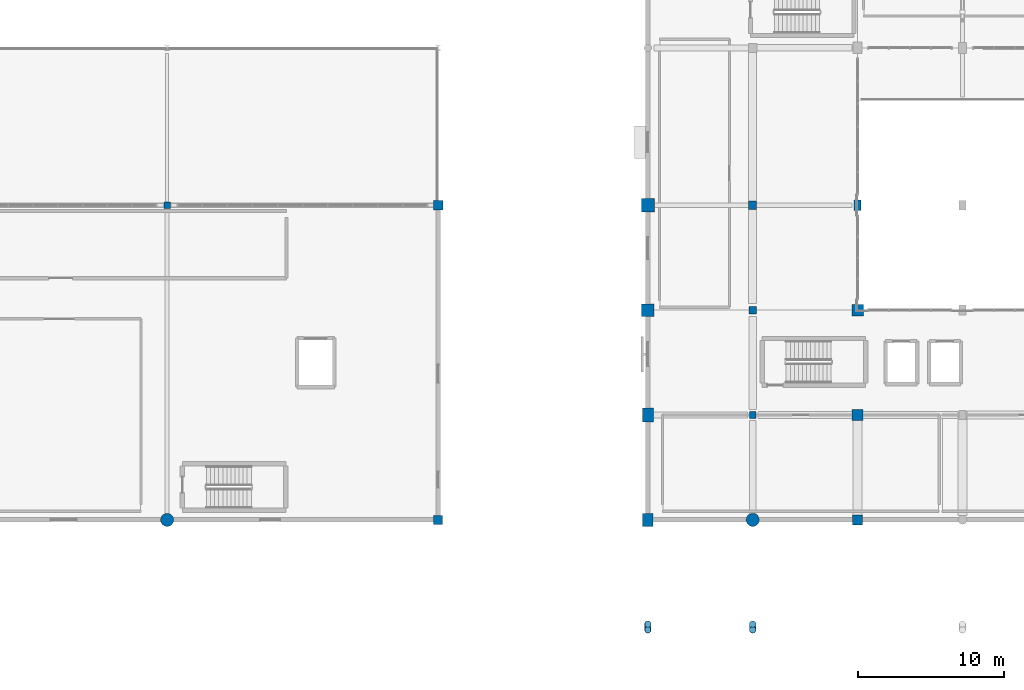
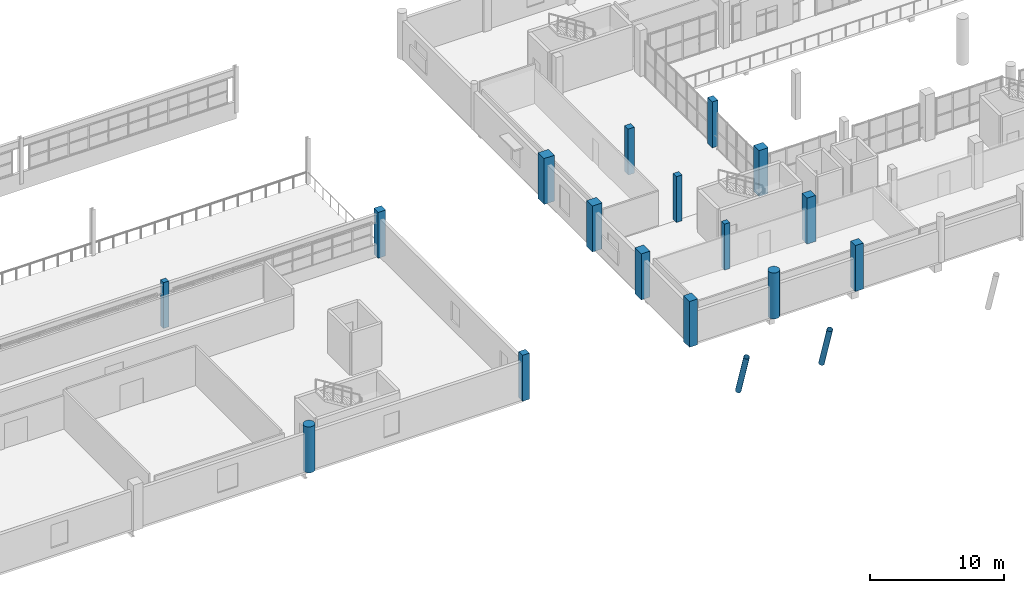
# One storey, part 4 of 92: 18 columns.
"""IFC4 building model written with IfcOpenShell, lengths in metres."""

from ifc_helpers import new_model, si_unit, direction, frame, origin, origin_2d, place, context, subcontext, project, spatial, rectangle, circle, hollow_circle, extrude, material, material_profile, profile_set, type_object, element, save


model = new_model("IFC4")

# Units and contexts
model_context = context("Model", 3, precision=1e-05, world=origin(), true_north=direction((0.0, 1.0)))
body_context = subcontext(model_context, "Body", "Model", "MODEL_VIEW")
ifc_project = project(units=[si_unit("LENGTHUNIT", "METRE"), si_unit("AREAUNIT", "SQUARE_METRE"), si_unit("VOLUMEUNIT", "CUBIC_METRE"), si_unit("PLANEANGLEUNIT", "RADIAN"), si_unit("MASSUNIT", "GRAM", prefix="KILO")], contexts=[model_context])

# Site, building, storey
site_placement = place(None, origin())
site = spatial("IfcSite", under=ifc_project, at=site_placement, CompositionType="ELEMENT")
building_placement = place(site_placement, origin())
building = spatial("IfcBuilding", under=site, at=building_placement, Name="Solanera Park Tramway Depot", CompositionType="ELEMENT")
storey_placement = place(building_placement, frame((0.0, 0.0, 4.800048828125)))
storey = spatial("IfcBuildingStorey", under=building, at=storey_placement, Name="L01", CompositionType="ELEMENT", Elevation=4.800048828125)

# Columns
ifc_material_1 = material(Name="Concrete N40 (C40/50)", Category="concrete")
ifc_material_profile_1 = material_profile(ifc_material_1, rectangle(XDim=0.60009765625, YDim=0.60009765625, at=origin_2d()), Name="RC 600x600")
ifc_profile_set_1 = profile_set([ifc_material_profile_1], Name="Concrete N40 (C40/50)")
column_type_1 = type_object("IfcColumnType", Name="RC Column Ext RC 600x600", PredefinedType="COLUMN", material=ifc_profile_set_1)
column_1_placement = place(storey_placement, frame((93.60009765625, 10.800048828125, 0.0), z_axis=(0.0, 0.0, 1.0), x_axis=(1.0, 0.0, 0.0)))
element("IfcColumn", 1, at=column_1_placement, inside=storey, type_object=column_type_1, Name="L01 Column V2-X936-Y108", PredefinedType="COLUMN", context=body_context, shape_type="SweptSolid", body=[
    extrude(rectangle(XDim=0.60009765625, YDim=0.60009765625, at=origin_2d()), origin(), (0.0, 0.0, 1.0), 4.199951171875),
])
ifc_material_2 = material(Name="Concrete N40 (C40/50)", Category="concrete")
ifc_material_profile_2 = material_profile(ifc_material_2, rectangle(XDim=0.64990234375, YDim=0.64990234375, at=origin_2d()), Name="RC 650x650")
ifc_profile_set_2 = profile_set([ifc_material_profile_2], Name="Concrete N40 (C40/50)")
column_type_2 = type_object("IfcColumnType", Name="RC Column Ext RC 650x650", PredefinedType="COLUMN", material=ifc_profile_set_2)
column_2_placement = place(storey_placement, frame((93.60009765625, 32.39990234375, 0.0), z_axis=(0.0, 0.0, 1.0), x_axis=(1.0, 0.0, 0.0)))
element("IfcColumn", 2, at=column_2_placement, inside=storey, type_object=column_type_2, Name="L01 Column V2-X936-Y324", PredefinedType="COLUMN", context=body_context, shape_type="SweptSolid", body=[
    extrude(rectangle(XDim=0.64990234375, YDim=0.64990234375, at=origin_2d()), origin(), (0.0, 0.0, 1.0), 4.199951171875),
])
ifc_material_3 = material(Name="Concrete N40 (C40/50)", Category="concrete")
ifc_material_profile_3 = material_profile(ifc_material_3, rectangle(XDim=0.699951171875, YDim=0.699951171875, at=origin_2d()), Name="RC 700x700")
ifc_profile_set_3 = profile_set([ifc_material_profile_3], Name="Concrete N40 (C40/50)")
column_type_3 = type_object("IfcColumnType", Name="RC Column Ext RC 700x700", PredefinedType="COLUMN", material=ifc_profile_set_3)
column_3_placement = place(storey_placement, frame((122.39990234375, 10.800048828125, 0.0), z_axis=(0.0, 0.0, 1.0), x_axis=(1.0, 0.0, 0.0)))
element("IfcColumn", 3, at=column_3_placement, inside=storey, type_object=column_type_3, Name="L01 Column V4-X1224-Y108", PredefinedType="COLUMN", context=body_context, shape_type="SweptSolid", body=[
    extrude(rectangle(XDim=0.699951171875, YDim=0.699951171875, at=origin_2d()), origin(), (0.0, 0.0, 1.0), 4.199951171875),
])
ifc_material_4 = material(Name="Concrete N40 (C40/50)", Category="concrete")
ifc_material_profile_4 = material_profile(ifc_material_4, rectangle(XDim=0.699951171875, YDim=0.89990234375, at=origin_2d()), Name="RC 700x900")
ifc_profile_set_4 = profile_set([ifc_material_profile_4], Name="Concrete N40 (C40/50)")
column_type_4 = type_object("IfcColumnType", Name="RC Column Ext RC 700x900", PredefinedType="COLUMN", material=ifc_profile_set_4)
column_4_placement = place(storey_placement, frame((108.0, 10.800048828125, 0.0), z_axis=(0.0, 0.0, 1.0), x_axis=(1.0, 0.0, 0.0)))
element("IfcColumn", 4, at=column_4_placement, inside=storey, type_object=column_type_4, Name="L01 Column V4-X1080-Y108", PredefinedType="COLUMN", context=body_context, shape_type="SweptSolid", body=[
    extrude(rectangle(XDim=0.699951171875, YDim=0.89990234375, at=origin_2d()), origin(), (0.0, 0.0, 1.0), 4.199951171875),
])
ifc_material_5 = material(Name="Concrete N40 (C40/50)", Category="concrete")
ifc_material_profile_5 = material_profile(ifc_material_5, rectangle(XDim=0.75, YDim=0.949951171875, at=origin_2d()), Name="RC 750x950")
ifc_profile_set_5 = profile_set([ifc_material_profile_5], Name="Concrete N40 (C40/50)")
column_type_5 = type_object("IfcColumnType", Name="RC Column Ext RC 750x950", PredefinedType="COLUMN", material=ifc_profile_set_5)
column_5_placement = place(storey_placement, frame((108.0, 18.0, 0.0), z_axis=(0.0, 0.0, 1.0), x_axis=(1.0, 0.0, 0.0)))
element("IfcColumn", 5, at=column_5_placement, inside=storey, type_object=column_type_5, Name="L01 Column V4-X1080-Y180", PredefinedType="COLUMN", context=body_context, shape_type="SweptSolid", body=[
    extrude(rectangle(XDim=0.75, YDim=0.949951171875, at=origin_2d()), origin(), (0.0, 0.0, 1.0), 4.199951171875),
])
ifc_material_6 = material(Name="Concrete N40 (C40/50)", Category="concrete")
ifc_material_profile_6 = material_profile(ifc_material_6, rectangle(XDim=0.85009765625, YDim=0.85009765625, at=origin_2d()), Name="RC 850x850")
ifc_profile_set_6 = profile_set([ifc_material_profile_6], Name="Concrete N40 (C40/50)")
column_type_6 = type_object("IfcColumnType", Name="RC Column Ext RC 850x850", PredefinedType="COLUMN", material=ifc_profile_set_6)
column_6_placement = place(storey_placement, frame((108.0, 25.199951171875, 0.0), z_axis=(0.0, 0.0, 1.0), x_axis=(1.0, 0.0, 0.0)))
element("IfcColumn", 6, at=column_6_placement, inside=storey, type_object=column_type_6, Name="L01 Column V4-X1080-Y252", PredefinedType="COLUMN", context=body_context, shape_type="SweptSolid", body=[
    extrude(rectangle(XDim=0.85009765625, YDim=0.85009765625, at=origin_2d()), origin(), (0.0, 0.0, 1.0), 4.199951171875),
])
ifc_material_7 = material(Name="Concrete N40 (C40/50)", Category="concrete")
ifc_material_profile_7 = material_profile(ifc_material_7, rectangle(XDim=0.89990234375, YDim=0.89990234375, at=origin_2d()), Name="RC 900x900")
ifc_profile_set_7 = profile_set([ifc_material_profile_7], Name="Concrete N40 (C40/50)")
column_type_7 = type_object("IfcColumnType", Name="RC Column Ext RC 900x900", PredefinedType="COLUMN", material=ifc_profile_set_7)
column_7_placement = place(storey_placement, frame((108.0, 32.39990234375, 0.0), z_axis=(0.0, 0.0, 1.0), x_axis=(1.0, 0.0, 0.0)))
element("IfcColumn", 7, at=column_7_placement, inside=storey, type_object=column_type_7, Name="L01 Column V4-X1080-Y324", PredefinedType="COLUMN", context=body_context, shape_type="SweptSolid", body=[
    extrude(rectangle(XDim=0.89990234375, YDim=0.89990234375, at=origin_2d()), origin(), (0.0, 0.0, 1.0), 4.199951171875),
])
ifc_material_8 = material(Name="Concrete N40 (C40/50)", Category="concrete")
ifc_material_profile_8 = material_profile(ifc_material_8, circle(Radius=0.449951171875, at=origin_2d()), Name="RC D900")
ifc_profile_set_8 = profile_set([ifc_material_profile_8], Name="Concrete N40 (C40/50)")
column_type_8 = type_object("IfcColumnType", Name="RC Column Ext RC D900", PredefinedType="COLUMN", material=ifc_profile_set_8)
for number, where, z_axis, x_axis, name in (
    (8, (75.0, 10.800048828125, 0.0), (0.0, 0.0, 1.0), (1.0, 0.0, 0.0), "L01 Column V2-X750-Y108"),
    (9, (115.199951171875, 10.800048828125, 0.0), (0.0, 0.0, 1.0), (1.0, 0.0, 0.0), "L01 Column V4-X1152-Y108"),
):
    element("IfcColumn", number, at=place(storey_placement, frame(where, z_axis=z_axis, x_axis=x_axis)), inside=storey, type_object=column_type_8, Name=name, PredefinedType="COLUMN", context=body_context, shape_type="SweptSolid", body=[
        extrude(circle(Radius=0.449951171875, at=origin_2d()), origin(), (0.0, 0.0, 1.0), 4.199951171875),
    ])
ifc_material_9 = material(Name="Concrete N40 (C40/50)", Category="concrete")
ifc_material_profile_9 = material_profile(ifc_material_9, rectangle(XDim=0.449951171875, YDim=0.449951171875, at=origin_2d()), Name="RC 450x450")
ifc_profile_set_9 = profile_set([ifc_material_profile_9], Name="Concrete N40 (C40/50)")
column_type_9 = type_object("IfcColumnType", Name="RC Column Int RC 450x450", PredefinedType="COLUMN", material=ifc_profile_set_9)
for number, where, z_axis, x_axis, name in (
    (10, (75.0, 32.39990234375, 0.0), (0.0, 0.0, 1.0), (1.0, 0.0, 0.0), "L01 Column V2-X750-Y324"),
    (11, (115.199951171875, 18.0, 0.0), (0.0, 0.0, 1.0), (1.0, 0.0, 0.0), "L01 Column V4-X1152-Y180"),
):
    element("IfcColumn", number, at=place(storey_placement, frame(where, z_axis=z_axis, x_axis=x_axis)), inside=storey, type_object=column_type_9, Name=name, PredefinedType="COLUMN", context=body_context, shape_type="SweptSolid", body=[
        extrude(rectangle(XDim=0.449951171875, YDim=0.449951171875, at=origin_2d()), origin(), (0.0, 0.0, 1.0), 4.199951171875),
    ])
ifc_material_10 = material(Name="Concrete N40 (C40/50)", Category="concrete")
ifc_material_profile_10 = material_profile(ifc_material_10, rectangle(XDim=0.5, YDim=0.5, at=origin_2d()), Name="RC 500x500")
ifc_profile_set_10 = profile_set([ifc_material_profile_10], Name="Concrete N40 (C40/50)")
column_type_10 = type_object("IfcColumnType", Name="RC Column Int RC 500x500", PredefinedType="COLUMN", material=ifc_profile_set_10)
column_8_placement = place(storey_placement, frame((115.199951171875, 25.199951171875, 0.0), z_axis=(0.0, 0.0, 1.0), x_axis=(1.0, 0.0, 0.0)))
element("IfcColumn", 12, at=column_8_placement, inside=storey, type_object=column_type_10, Name="L01 Column V4-X1152-Y252", PredefinedType="COLUMN", context=body_context, shape_type="SweptSolid", body=[
    extrude(rectangle(XDim=0.5, YDim=0.5, at=origin_2d()), origin(), (0.0, 0.0, 1.0), 4.199951171875),
])
ifc_material_11 = material(Name="Concrete N40 (C40/50)", Category="concrete")
ifc_material_profile_11 = material_profile(ifc_material_11, rectangle(XDim=0.5, YDim=0.699951171875, at=origin_2d()), Name="RC 500x700")
ifc_profile_set_11 = profile_set([ifc_material_profile_11], Name="Concrete N40 (C40/50)")
column_type_11 = type_object("IfcColumnType", Name="RC Column Int RC 500x700", PredefinedType="COLUMN", material=ifc_profile_set_11)
column_9_placement = place(storey_placement, frame((122.39990234375, 32.39990234375, 0.0), z_axis=(0.0, 0.0, 1.0), x_axis=(1.0, 0.0, 0.0)))
element("IfcColumn", 13, at=column_9_placement, inside=storey, type_object=column_type_11, Name="L01 Column V4-X1224-Y324", PredefinedType="COLUMN", context=body_context, shape_type="SweptSolid", body=[
    extrude(rectangle(XDim=0.5, YDim=0.699951171875, at=origin_2d()), origin(), (0.0, 0.0, 1.0), 4.199951171875),
])
ifc_material_12 = material(Name="Concrete N40 (C40/50)", Category="concrete")
ifc_material_profile_12 = material_profile(ifc_material_12, rectangle(XDim=0.550048828125, YDim=0.550048828125, at=origin_2d()), Name="RC 550x550")
ifc_profile_set_12 = profile_set([ifc_material_profile_12], Name="Concrete N40 (C40/50)")
column_type_12 = type_object("IfcColumnType", Name="RC Column Int RC 550x550", PredefinedType="COLUMN", material=ifc_profile_set_12)
column_10_placement = place(storey_placement, frame((115.199951171875, 32.39990234375, 0.0), z_axis=(0.0, 0.0, 1.0), x_axis=(1.0, 0.0, 0.0)))
element("IfcColumn", 14, at=column_10_placement, inside=storey, type_object=column_type_12, Name="L01 Column V4-X1152-Y324", PredefinedType="COLUMN", context=body_context, shape_type="SweptSolid", body=[
    extrude(rectangle(XDim=0.550048828125, YDim=0.550048828125, at=origin_2d()), origin(), (0.0, 0.0, 1.0), 4.199951171875),
])
ifc_material_13 = material(Name="Concrete N40 (C40/50)", Category="concrete")
ifc_material_profile_13 = material_profile(ifc_material_13, rectangle(XDim=0.75, YDim=0.75, at=origin_2d()), Name="RC 750x750")
ifc_profile_set_13 = profile_set([ifc_material_profile_13], Name="Concrete N40 (C40/50)")
column_type_13 = type_object("IfcColumnType", Name="RC Column Int RC 750x750", PredefinedType="COLUMN", material=ifc_profile_set_13)
column_11_placement = place(storey_placement, frame((122.39990234375, 18.0, 0.0), z_axis=(0.0, 0.0, 1.0), x_axis=(1.0, 0.0, 0.0)))
element("IfcColumn", 15, at=column_11_placement, inside=storey, type_object=column_type_13, Name="L01 Column V4-X1224-Y180", PredefinedType="COLUMN", context=body_context, shape_type="SweptSolid", body=[
    extrude(rectangle(XDim=0.75, YDim=0.75, at=origin_2d()), origin(), (0.0, 0.0, 1.0), 4.199951171875),
])
ifc_material_14 = material(Name="Concrete N40 (C40/50)", Category="concrete")
ifc_material_profile_14 = material_profile(ifc_material_14, rectangle(XDim=0.800048828125, YDim=0.800048828125, at=origin_2d()), Name="RC 800x800")
ifc_profile_set_14 = profile_set([ifc_material_profile_14], Name="Concrete N40 (C40/50)")
column_type_14 = type_object("IfcColumnType", Name="RC Column Int RC 800x800", PredefinedType="COLUMN", material=ifc_profile_set_14)
column_12_placement = place(storey_placement, frame((122.39990234375, 25.199951171875, 0.0), z_axis=(0.0, 0.0, 1.0), x_axis=(1.0, 0.0, 0.0)))
element("IfcColumn", 16, at=column_12_placement, inside=storey, type_object=column_type_14, Name="L01 Column V4-X1224-Y252", PredefinedType="COLUMN", context=body_context, shape_type="SweptSolid", body=[
    extrude(rectangle(XDim=0.800048828125, YDim=0.800048828125, at=origin_2d()), origin(), (0.0, 0.0, 1.0), 4.199951171875),
])
ifc_material_15 = material(Name="Steel AS/NZS 1163 Grade C350L0", Category="steel")
ifc_material_profile_15 = material_profile(ifc_material_15, hollow_circle(Radius=0.228515625, WallThickness=0.0126953125, at=origin_2d()), Name="457.0x12.7 CHS")
ifc_profile_set_15 = profile_set([ifc_material_profile_15], Name="Steel AS/NZS 1163 Grade C350L0")
column_type_15 = type_object("IfcColumnType", Name="Steel Column Ext 457.0x12.7 CHS", PredefinedType="COLUMN", material=ifc_profile_set_15)
for number, where, z_axis, x_axis, name in (
    (17, (115.199951171875, 3.647705078125, 0.0), (0.0, -0.309409105715, 0.95092902222), (1.0, 0.0, 0.0), "L01 Raked Head-Block Support Column 01"),
    (18, (108.0, 3.647705078125, 0.0), (0.0, -0.309409105715, 0.95092902222), (1.0, 0.0, 0.0), "L01 Raked Azotea Support Column 1"),
):
    element("IfcColumn", number, at=place(storey_placement, frame(where, z_axis=z_axis, x_axis=x_axis)), inside=storey, type_object=column_type_15, Name=name, PredefinedType="COLUMN", context=body_context, shape_type="SweptSolid", body=[
        extrude(hollow_circle(Radius=0.228515625, WallThickness=0.0126953125, at=origin_2d()), origin(), (0.0, 0.0, 1.0), 4.032958984375),
    ])

save(model, "model.ifc")
